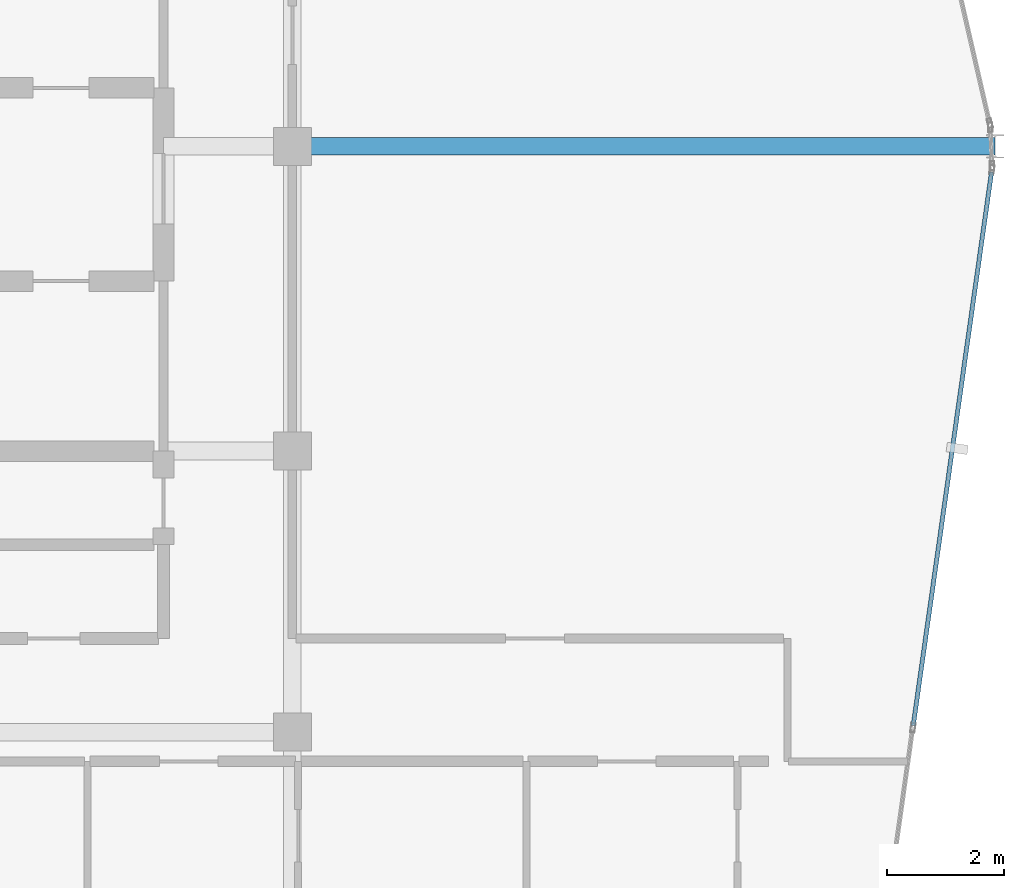
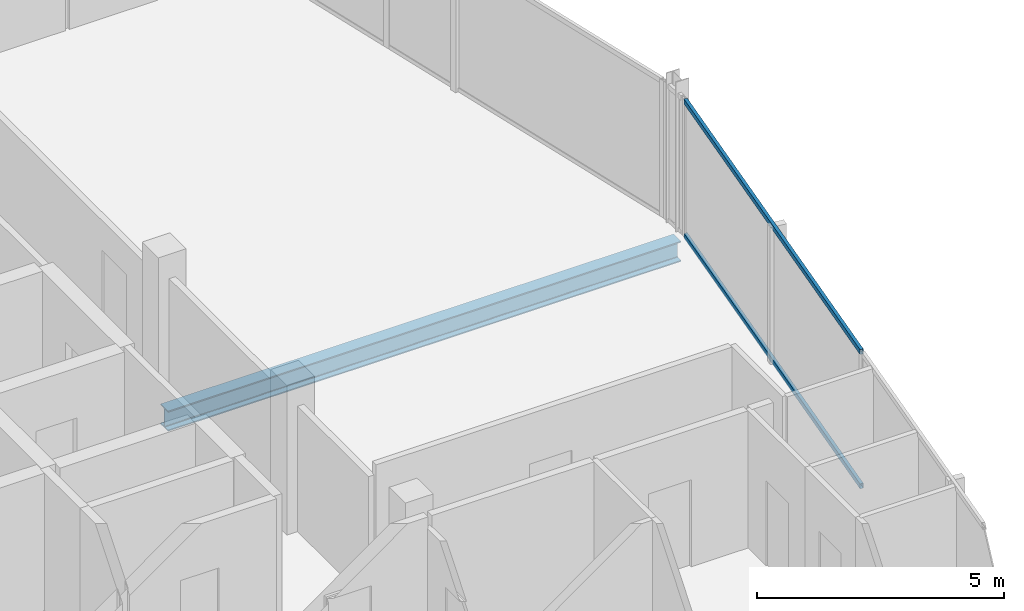
# One storey, part 13 of 27: 2 members, 1 beam, 1 element without a shape of its own.
"""IFC4 building model written with IfcOpenShell, lengths in metres."""

from ifc_helpers import new_model, si_unit, direction, frame, origin, origin_2d, place, context, subcontext, project, spatial, hollow_rectangle, i_section, extrude, material, layer, layer_set, material_profile, profile_set, type_object, element, aggregate, save


model = new_model("IFC4")

# Units and contexts
model_context = context("Model", 3, precision=1e-05, world=origin(), true_north=direction((0.0, 1.0)))
body_context = subcontext(model_context, "Body", "Model", "MODEL_VIEW")
ifc_project = project(units=[si_unit("LENGTHUNIT", "METRE"), si_unit("AREAUNIT", "SQUARE_METRE"), si_unit("VOLUMEUNIT", "CUBIC_METRE"), si_unit("PLANEANGLEUNIT", "RADIAN"), si_unit("MASSUNIT", "GRAM", prefix="KILO")], contexts=[model_context])

# Site, building, storey
site_placement = place(None, origin())
site = spatial("IfcSite", under=ifc_project, at=site_placement, CompositionType="ELEMENT")
building_placement = place(site_placement, origin())
building = spatial("IfcBuilding", under=site, at=building_placement, Name="Keshet Zoharim Tower", CompositionType="ELEMENT")
storey_placement = place(building_placement, frame((0.0, 0.0, 288.0)))
storey = spatial("IfcBuildingStorey", under=building, at=storey_placement, Name="L72", CompositionType="ELEMENT", Elevation=288.0)

# Beam
ifc_material_1 = material(Name="Steel S355", Category="steel")
ifc_material_profile_1 = material_profile(ifc_material_1, i_section(OverallWidth=0.300048828125, OverallDepth=0.5, WebThickness=0.014404296875, FlangeThickness=0.028076171875, FilletRadius=0.027099609375, at=origin_2d()), Name="HEB500")
ifc_profile_set_1 = profile_set([ifc_material_profile_1], Name="Steel S355")
beam_type = type_object("IfcBeamType", Name="BM-MED-HB500", PredefinedType="BEAM", material=ifc_profile_set_1)
beam_placement = place(storey_placement, frame((33.0, 27.89990234375, -0.56005859375), z_axis=(1.0, 0.0, 0.0), x_axis=(0.0, 1.0, 0.0)))
element("IfcBeam", 1, at=beam_placement, inside=storey, type_object=beam_type, Name="L72 Primary Girder X-007", PredefinedType="BEAM", context=body_context, shape_type="SweptSolid", body=[
    extrude(i_section(OverallWidth=0.300048828125, OverallDepth=0.5, WebThickness=0.014404296875, FlangeThickness=0.028076171875, FilletRadius=0.027099609375, at=origin_2d()), origin(), (0.0, 0.0, 1.0), 12.0),
])

# Curtain wall, members
ifc_material_2 = material(Name="Aluminium 6063-T6", Category="aluminium")
ifc_layer = layer(ifc_material_2, 0.260009765625)
ifc_layer_set = layer_set([ifc_layer], Name="Aluminium 6063-T6")
curtain_wall_type = type_object("IfcCurtainWallType", Name="CW-SYS-06", PredefinedType="NOTDEFINED", material=ifc_layer_set)
curtain_wall_placement = place(storey_placement, origin())
curtain_wall = element("IfcCurtainWall", 2, at=curtain_wall_placement, inside=storey, type_object=curtain_wall_type, Name="L72 Unitised Curtain Wall 11", PredefinedType="NOTDEFINED")
ifc_material_profile_2 = material_profile(ifc_material_2, hollow_rectangle(XDim=0.074951171875, YDim=0.1201171875, WallThickness=0.00390625, at=origin_2d()), Name="TRN-75x120")
ifc_profile_set_2 = profile_set([ifc_material_profile_2], Name="Aluminium 6063-T6")
member_type = type_object("IfcMemberType", Name="CWT-T12", PredefinedType="USERDEFINED", material=ifc_profile_set_2)
member_1_placement = place(storey_placement, frame((44.938232421875, 27.462646484375, 0.034912109375), z_axis=(-0.140150169695, -0.990130259074, 0.0), x_axis=(0.990130259074, -0.140150169695, 0.0)))
member_1 = element("IfcMember", 3, at=member_1_placement, type_object=member_type, Name="CW-06 transom 1.1", ObjectType="TRANSOM", PredefinedType="USERDEFINED", context=body_context, shape_type="SweptSolid", body=[
    extrude(hollow_rectangle(XDim=0.074951171875, YDim=0.1201171875, WallThickness=0.00390625, at=origin_2d()), origin(), (0.0, 0.0, 1.0), 9.546142578125),
])
member_2_placement = place(storey_placement, frame((44.938232421875, 27.462646484375, 3.35498046875), z_axis=(-0.140150169695, -0.990130259074, 0.0), x_axis=(0.990130259074, -0.140150169695, 0.0)))
member_2 = element("IfcMember", 4, at=member_2_placement, type_object=member_type, Name="CW-06 transom 1.2", ObjectType="TRANSOM", PredefinedType="USERDEFINED", context=body_context, shape_type="SweptSolid", body=[
    extrude(hollow_rectangle(XDim=0.074951171875, YDim=0.1201171875, WallThickness=0.00390625, at=origin_2d()), origin(), (0.0, 0.0, 1.0), 9.546142578125),
])
aggregate(curtain_wall, [member_1, member_2])

save(model, "model.ifc")
